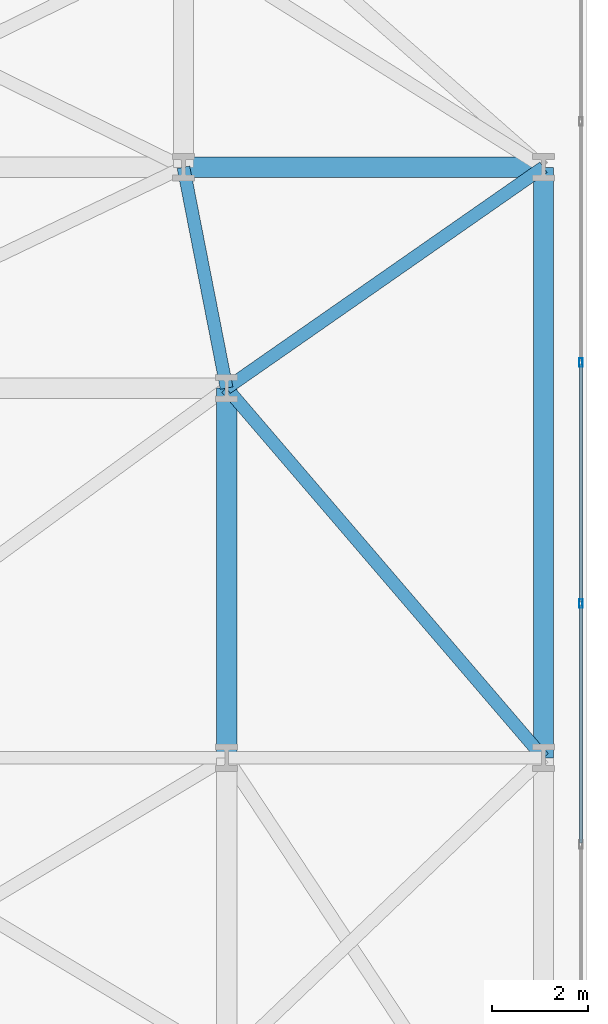
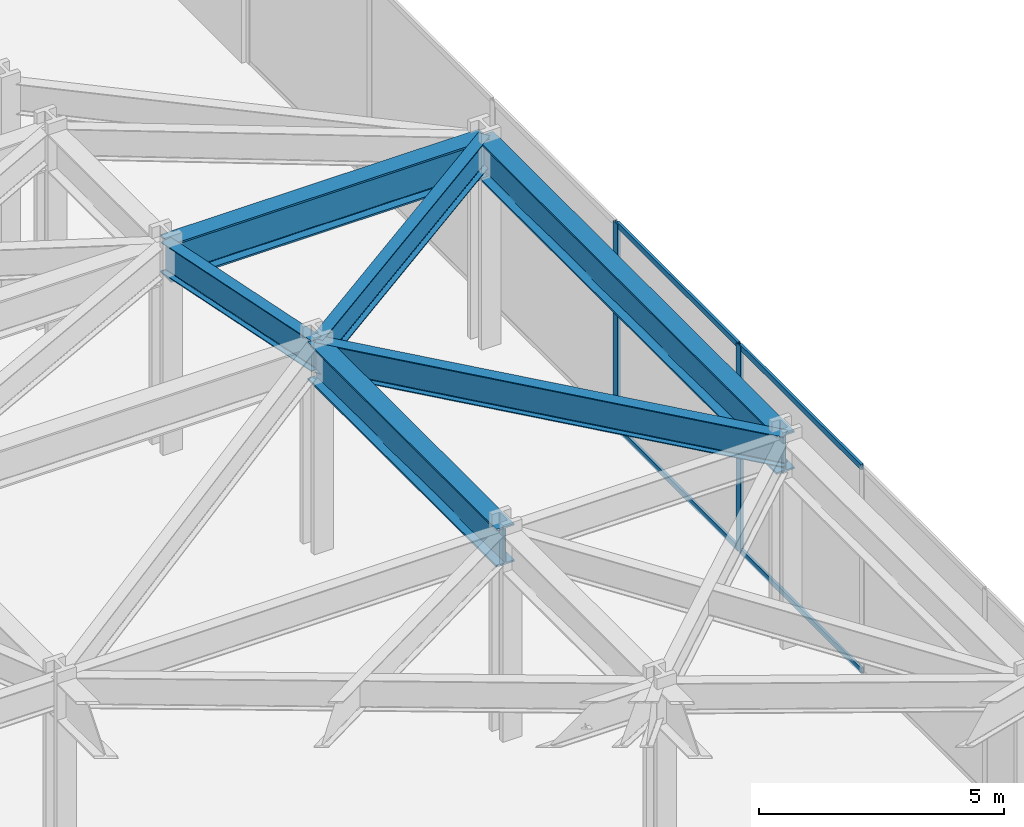
# One storey, part 22 of 29: 6 beams, 6 members, 1 element without a shape of its own.
"""IFC4 building model written with IfcOpenShell, lengths in metres."""

from ifc_helpers import new_model, si_unit, direction, frame, origin, origin_2d, place, context, subcontext, project, spatial, hollow_rectangle, i_section, extrude, material, layer, layer_set, material_profile, profile_set, type_object, element, aggregate, save


model = new_model("IFC4")

# Units and contexts
model_context = context("Model", 3, precision=1e-05, world=origin(), true_north=direction((0.0, 1.0)))
body_context = subcontext(model_context, "Body", "Model", "MODEL_VIEW")
ifc_project = project(units=[si_unit("LENGTHUNIT", "METRE"), si_unit("AREAUNIT", "SQUARE_METRE"), si_unit("VOLUMEUNIT", "CUBIC_METRE"), si_unit("PLANEANGLEUNIT", "RADIAN"), si_unit("MASSUNIT", "GRAM", prefix="KILO")], contexts=[model_context])

# Site, building, storey
site_placement = place(None, origin())
site = spatial("IfcSite", under=ifc_project, at=site_placement, CompositionType="ELEMENT")
building_placement = place(site_placement, origin())
building = spatial("IfcBuilding", under=site, at=building_placement, Name="Kravanh Interchange Tower", CompositionType="ELEMENT")
storey_placement = place(building_placement, frame((0.0, 0.0, 5.39990234375)))
storey = spatial("IfcBuildingStorey", under=building, at=storey_placement, Name="L01", CompositionType="ELEMENT", Elevation=5.39990234375)

# Curtain wall, members
ifc_material_1 = material(Name="Anodised Bronze Aluminium", Category="aluminium")
ifc_layer = layer(ifc_material_1, 0.179931640625)
ifc_layer_set = layer_set([ifc_layer], Name="Unitised Curtain Wall System CW-POD Podium Concourse")
curtain_wall_type = type_object("IfcCurtainWallType", Name="Unitised Curtain Wall System CW-POD Podium Concourse", PredefinedType="NOTDEFINED", material=ifc_layer_set)
curtain_wall_placement = place(storey_placement, origin())
curtain_wall = element("IfcCurtainWall", 1, at=curtain_wall_placement, inside=storey, type_object=curtain_wall_type, Name="L01 Unitised Curtain Wall CW-L01-02", PredefinedType="NOTDEFINED")
ifc_material_2 = material(Name="Anodised Bronze Aluminium", Category="aluminium")
ifc_material_profile_1 = material_profile(ifc_material_2, hollow_rectangle(XDim=0.070068359375, YDim=0.179931640625, WallThickness=0.00390625, at=origin_2d()), Name="ALU70X180X4")
ifc_profile_set_1 = profile_set([ifc_material_profile_1], Name="Anodised Bronze Aluminium")
member_type_1 = type_object("IfcMemberType", Name="Curtain Wall Mullion ALU70X180X4 Bronze", PredefinedType="MULLION", material=ifc_profile_set_1)
member_1_placement = place(storey_placement, frame((73.8798828125, 22.735595703125, 0.0), z_axis=(0.0, 0.0, 1.0), x_axis=(1.0, 0.0, 0.0)))
member_1 = element("IfcMember", 2, at=member_1_placement, type_object=member_type_1, Name="CW-POD mullion 4", PredefinedType="MULLION", context=body_context, shape_type="SweptSolid", body=[
    extrude(hollow_rectangle(XDim=0.070068359375, YDim=0.179931640625, WallThickness=0.00390625, at=origin_2d()), origin(), (0.0, 0.0, 1.0), 5.130126953125),
])
member_2_placement = place(storey_placement, frame((73.8798828125, 17.714111328125, 0.0), z_axis=(0.0, 0.0, 1.0), x_axis=(1.0, 0.0, 0.0)))
member_2 = element("IfcMember", 3, at=member_2_placement, type_object=member_type_1, Name="CW-POD mullion 5", PredefinedType="MULLION", context=body_context, shape_type="SweptSolid", body=[
    extrude(hollow_rectangle(XDim=0.070068359375, YDim=0.179931640625, WallThickness=0.00390625, at=origin_2d()), origin(), (0.0, 0.0, 1.0), 5.130126953125),
])
ifc_material_3 = material(Name="Anodised Bronze Aluminium", Category="aluminium")
ifc_material_profile_2 = material_profile(ifc_material_3, hollow_rectangle(XDim=0.06005859375, YDim=0.139892578125, WallThickness=0.00390625, at=origin_2d()), Name="ALU60X140X4")
ifc_profile_set_2 = profile_set([ifc_material_profile_2], Name="Anodised Bronze Aluminium")
member_type_2 = type_object("IfcMemberType", Name="Curtain Wall Transom ALU60X140X4 Bronze", PredefinedType="USERDEFINED", material=ifc_profile_set_2)
member_3_placement = place(storey_placement, frame((73.8798828125, 22.70068359375, 0.030029296875), z_axis=(0.0, -1.0, 0.0), x_axis=(1.0, 0.0, 0.0)))
member_3 = element("IfcMember", 4, at=member_3_placement, type_object=member_type_2, Name="CW-POD transom 4.1", ObjectType="TRANSOM", PredefinedType="USERDEFINED", context=body_context, shape_type="SweptSolid", body=[
    extrude(hollow_rectangle(XDim=0.06005859375, YDim=0.139892578125, WallThickness=0.00390625, at=origin_2d()), origin(), (0.0, 0.0, 1.0), 4.95166015625),
])
member_4_placement = place(storey_placement, frame((73.8798828125, 22.70068359375, 5.10009765625), z_axis=(0.0, -1.0, 0.0), x_axis=(1.0, 0.0, 0.0)))
member_4 = element("IfcMember", 5, at=member_4_placement, type_object=member_type_2, Name="CW-POD transom 4.2", ObjectType="TRANSOM", PredefinedType="USERDEFINED", context=body_context, shape_type="SweptSolid", body=[
    extrude(hollow_rectangle(XDim=0.06005859375, YDim=0.139892578125, WallThickness=0.00390625, at=origin_2d()), origin(), (0.0, 0.0, 1.0), 4.95166015625),
])
member_5_placement = place(storey_placement, frame((73.8798828125, 17.67919921875, 0.030029296875), z_axis=(0.0, -1.0, 0.0), x_axis=(1.0, 0.0, 0.0)))
member_5 = element("IfcMember", 6, at=member_5_placement, type_object=member_type_2, Name="CW-POD transom 5.1", ObjectType="TRANSOM", PredefinedType="USERDEFINED", context=body_context, shape_type="SweptSolid", body=[
    extrude(hollow_rectangle(XDim=0.06005859375, YDim=0.139892578125, WallThickness=0.00390625, at=origin_2d()), origin(), (0.0, 0.0, 1.0), 4.95166015625),
])
member_6_placement = place(storey_placement, frame((73.8798828125, 17.67919921875, 5.10009765625), z_axis=(0.0, -1.0, 0.0), x_axis=(1.0, 0.0, 0.0)))
member_6 = element("IfcMember", 7, at=member_6_placement, type_object=member_type_2, Name="CW-POD transom 5.2", ObjectType="TRANSOM", PredefinedType="USERDEFINED", context=body_context, shape_type="SweptSolid", body=[
    extrude(hollow_rectangle(XDim=0.06005859375, YDim=0.139892578125, WallThickness=0.00390625, at=origin_2d()), origin(), (0.0, 0.0, 1.0), 4.95166015625),
])
aggregate(curtain_wall, [member_1, member_2, member_3, member_4, member_5, member_6])

# Beams
ifc_material_4 = material(Name="Structural Steel S450", Category="steel")
ifc_material_profile_3 = material_profile(ifc_material_4, i_section(OverallWidth=0.423095703125, OverallDepth=0.947998046875, WebThickness=0.02392578125, FlangeThickness=0.042724609375, FilletRadius=0.028076171875, at=origin_2d()), Name="W36X302")
ifc_profile_set_3 = profile_set([ifc_material_profile_3], Name="Structural Steel S450")
beam_type_1 = type_object("IfcBeamType", Name="Floor Beam W36X302 Structural Steel S450", PredefinedType="BEAM", material=ifc_profile_set_3)
beam_1_placement = place(storey_placement, frame((66.5, 14.5, 4.656005859375), z_axis=(0.0, 1.0, 0.0), x_axis=(-1.0, 0.0, 0.0)))
element("IfcBeam", 8, at=beam_1_placement, inside=storey, type_object=beam_type_1, Name="L01 Primary Floor Girder 54", PredefinedType="BEAM", context=body_context, shape_type="SweptSolid", body=[
    extrude(i_section(OverallWidth=0.423095703125, OverallDepth=0.947998046875, WebThickness=0.02392578125, FlangeThickness=0.042724609375, FilletRadius=0.028076171875, at=origin_2d()), origin(), (0.0, 0.0, 1.0), 7.699951171875),
])
beam_2_placement = place(storey_placement, frame((65.60009765625, 26.800048828125, 4.656005859375), z_axis=(1.0, 0.0, 0.0), x_axis=(0.0, 1.0, 0.0)))
element("IfcBeam", 9, at=beam_2_placement, inside=storey, type_object=beam_type_1, Name="L01 Primary Floor Girder 102", PredefinedType="BEAM", context=body_context, shape_type="SweptSolid", body=[
    extrude(i_section(OverallWidth=0.423095703125, OverallDepth=0.947998046875, WebThickness=0.02392578125, FlangeThickness=0.042724609375, FilletRadius=0.028076171875, at=origin_2d()), origin(), (0.0, 0.0, 1.0), 7.5),
])
beam_3_placement = place(storey_placement, frame((73.10009765625, 14.5, 4.656005859375), z_axis=(0.0, 1.0, 0.0), x_axis=(-1.0, 0.0, 0.0)))
element("IfcBeam", 10, at=beam_3_placement, inside=storey, type_object=beam_type_1, Name="L01 Primary Floor Girder 128", PredefinedType="BEAM", context=body_context, shape_type="SweptSolid", body=[
    extrude(i_section(OverallWidth=0.423095703125, OverallDepth=0.947998046875, WebThickness=0.02392578125, FlangeThickness=0.042724609375, FilletRadius=0.028076171875, at=origin_2d()), origin(), (0.0, 0.0, 1.0), 12.300048828125),
])
ifc_material_5 = material(Name="Structural Steel S355", Category="steel")
ifc_material_profile_4 = material_profile(ifc_material_5, i_section(OverallWidth=0.26708984375, OverallDepth=0.761962890625, WebThickness=0.014404296875, FlangeThickness=0.021484375, FilletRadius=0.02490234375, at=origin_2d()), Name="W30X116")
ifc_profile_set_4 = profile_set([ifc_material_profile_4], Name="Structural Steel S355")
beam_type_2 = type_object("IfcBeamType", Name="Floor Spandrel W30X116 Structural Steel S355", PredefinedType="SPANDREL", material=ifc_profile_set_4)
beam_4_placement = place(storey_placement, frame((66.5, 22.199951171875, 4.7490234375), z_axis=(-0.191987614224, 0.981397348674, 0.0), x_axis=(-0.981397348674, -0.191987614224, 0.0)))
element("IfcBeam", 11, at=beam_4_placement, inside=storey, type_object=beam_type_2, Name="L01 Perimeter Spandrel 69", PredefinedType="SPANDREL", context=body_context, shape_type="SweptSolid", body=[
    extrude(i_section(OverallWidth=0.26708984375, OverallDepth=0.761962890625, WebThickness=0.014404296875, FlangeThickness=0.021484375, FilletRadius=0.02490234375, at=origin_2d()), origin(), (0.0, 0.0, 1.0), 4.687255859375),
])
beam_5_placement = place(storey_placement, frame((66.5, 22.199951171875, 4.7490234375), z_axis=(0.820396441235, 0.571795137447, 0.0), x_axis=(-0.571795137447, 0.820396441235, 0.0)))
element("IfcBeam", 12, at=beam_5_placement, inside=storey, type_object=beam_type_2, Name="L01 Perimeter Spandrel 70", PredefinedType="SPANDREL", context=body_context, shape_type="SweptSolid", body=[
    extrude(i_section(OverallWidth=0.26708984375, OverallDepth=0.761962890625, WebThickness=0.014404296875, FlangeThickness=0.021484375, FilletRadius=0.02490234375, at=origin_2d()), origin(), (0.0, 0.0, 1.0), 8.044921875),
])
beam_6_placement = place(storey_placement, frame((66.5, 22.199951171875, 4.7490234375), z_axis=(0.65079930347, -0.759249805139, 0.0), x_axis=(0.759249805139, 0.65079930347, 0.0)))
element("IfcBeam", 13, at=beam_6_placement, inside=storey, type_object=beam_type_2, Name="L01 Perimeter Spandrel 72", PredefinedType="SPANDREL", context=body_context, shape_type="SweptSolid", body=[
    extrude(i_section(OverallWidth=0.26708984375, OverallDepth=0.761962890625, WebThickness=0.014404296875, FlangeThickness=0.021484375, FilletRadius=0.02490234375, at=origin_2d()), origin(), (0.0, 0.0, 1.0), 10.1416015625),
])

save(model, "model.ifc")
